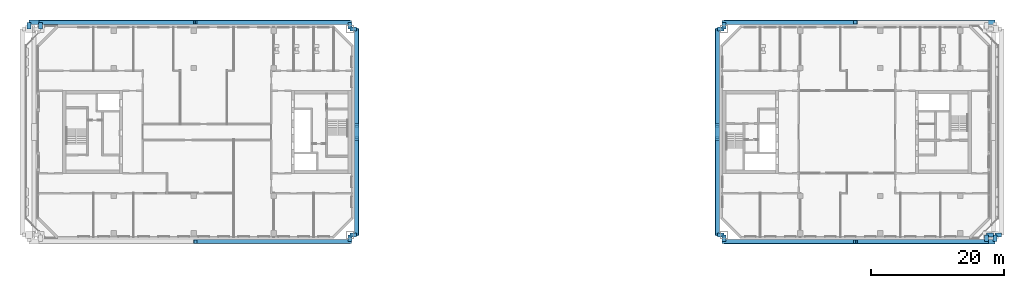
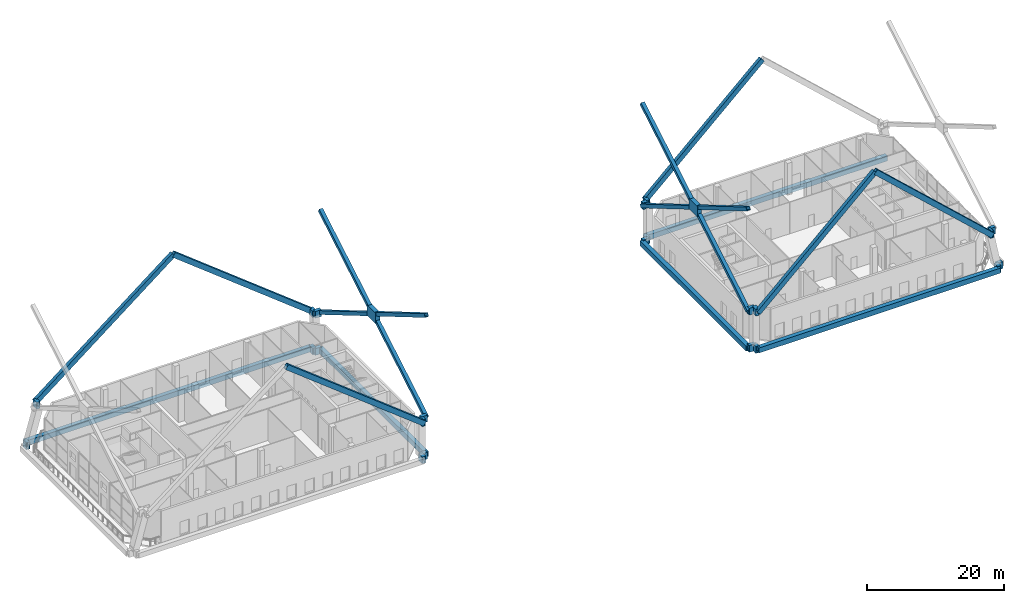
# One storey, part 5 of 20: 27 beams, 16 members.
"""IFC4 building model written with IfcOpenShell, lengths in metres."""

from ifc_helpers import new_model, si_unit, direction, frame, origin, origin_2d, place, context, subcontext, project, spatial, rectangle, hollow_rectangle, extrude, material, material_profile, profile_set, type_object, element, save


model = new_model("IFC4")

# Units and contexts
model_context = context("Model", 3, precision=1e-05, world=origin(), true_north=direction((0.0, 1.0)))
body_context = subcontext(model_context, "Body", "Model", "MODEL_VIEW")
ifc_project = project(units=[si_unit("LENGTHUNIT", "METRE"), si_unit("AREAUNIT", "SQUARE_METRE"), si_unit("VOLUMEUNIT", "CUBIC_METRE"), si_unit("PLANEANGLEUNIT", "RADIAN"), si_unit("MASSUNIT", "GRAM", prefix="KILO")], contexts=[model_context])

# Site, building, storey
site_placement = place(None, origin())
site = spatial("IfcSite", under=ifc_project, at=site_placement, CompositionType="ELEMENT")
building_placement = place(site_placement, origin())
building = spatial("IfcBuilding", under=site, at=building_placement, Name="Tuart Gate Housing", CompositionType="ELEMENT")
storey_placement = place(building_placement, frame((0.0, 0.0, 142.300048828125)))
storey = spatial("IfcBuildingStorey", under=building, at=storey_placement, Name="L40", CompositionType="ELEMENT", Elevation=142.300048828125)

# Members
ifc_material_1 = material(Name="Steel Grade 350", Category="steel")
ifc_material_profile_1 = material_profile(ifc_material_1, rectangle(XDim=2.537109375, YDim=1.864013671875, at=origin_2d()), Name="Brace node plate 2537 x 1864")
ifc_profile_set_1 = profile_set([ifc_material_profile_1], Name="Steel Grade 350")
member_type_1 = type_object("IfcMemberType", Name="Brace node plate 2537 x 1864", PredefinedType="PLATE", material=ifc_profile_set_1)
for number, where, z_axis, x_axis, name in (
    (1, (76.10498046875, 70.0, 15.300048828125), (1.0, 0.0, 0.0), (0.0, 1.0, 0.0), "Brace node A zone 6 east"),
    (2, (130.205078125, 70.0, 15.300048828125), (1.0, 0.0, 0.0), (0.0, 1.0, 0.0), "Brace node B zone 6 west"),
):
    element("IfcMember", number, at=place(storey_placement, frame(where, z_axis=z_axis, x_axis=x_axis)), inside=storey, type_object=member_type_1, Name=name, PredefinedType="PLATE", context=body_context, shape_type="SweptSolid", body=[
        extrude(rectangle(XDim=2.537109375, YDim=1.864013671875, at=origin_2d()), origin(), (0.0, 0.0, 1.0), 0.68994140625),
    ])

# Beams
ifc_material_2 = material(Name="Steel Grade 350", Category="steel")
ifc_material_profile_2 = material_profile(ifc_material_2, hollow_rectangle(XDim=0.60009765625, YDim=1.199951171875, WallThickness=0.0400390625, at=origin_2d()), Name="BOX 1200x600x40")
ifc_profile_set_2 = profile_set([ifc_material_profile_2], Name="Steel Grade 350")
beam_type_1 = type_object("IfcBeamType", Name="Brace shoe BOX 1200x600x40", PredefinedType="BEAM", material=ifc_profile_set_2)
for number, where, z_axis, x_axis, name in (
    (3, (75.449951171875, 54.550048828125, -0.400146484375), (0.0, -1.0, 0.0), (1.0, 0.0, 0.0), "Mega tie beam A node 5 south shoe 1 L40"),
    (4, (27.300048828125, 85.449951171875, -0.400146484375), (0.0, 1.0, 0.0), (-1.0, 0.0, 0.0), "Mega tie beam A node 5 north shoe 0 L40"),
    (5, (75.449951171875, 85.449951171875, -0.400146484375), (0.0, 1.0, 0.0), (-1.0, 0.0, 0.0), "Mega tie beam A node 5 north shoe 1 L40"),
    (6, (75.449951171875, 54.550048828125, -0.400146484375), (1.0, 0.0, 0.0), (0.0, 1.0, 0.0), "Mega tie beam A node 5 east shoe 0 L40"),
    (7, (75.449951171875, 85.449951171875, -0.400146484375), (1.0, 0.0, 0.0), (0.0, 1.0, 0.0), "Mega tie beam A node 5 east shoe 1 L40"),
    (8, (75.449951171875, 54.550048828125, 6.199951171875), (0.0, -1.0, 0.0), (1.0, 0.0, 0.0), "Mega brace shoe A zone 6 south chevron 2"),
    (9, (29.050048828125, 85.449951171875, 6.199951171875), (0.0, 1.0, 0.0), (-1.0, 0.0, 0.0), "Mega brace shoe A zone 6 north chevron 1"),
    (10, (75.449951171875, 85.449951171875, 6.199951171875), (0.0, 1.0, 0.0), (-1.0, 0.0, 0.0), "Mega brace shoe A zone 6 north chevron 2"),
    (11, (75.449951171875, 54.550048828125, 6.199951171875), (1.0, 0.0, 0.0), (0.0, 1.0, 0.0), "Mega brace shoe A zone 6 east cross 1"),
    (12, (75.449951171875, 85.449951171875, 6.199951171875), (1.0, 0.0, 0.0), (0.0, 1.0, 0.0), "Mega brace shoe A zone 6 east cross 2"),
    (13, (131.550048828125, 54.550048828125, -0.400146484375), (0.0, -1.0, 0.0), (1.0, 0.0, 0.0), "Mega tie beam B node 5 south shoe 0 L40"),
    (14, (172.199951171875, 54.550048828125, -0.400146484375), (0.0, -1.0, 0.0), (1.0, 0.0, 0.0), "Mega tie beam B node 5 south shoe 1 L40"),
    (15, (131.550048828125, 85.449951171875, -0.400146484375), (0.0, 1.0, 0.0), (-1.0, 0.0, 0.0), "Mega tie beam B node 5 north shoe 0 L40"),
    (16, (172.199951171875, 54.550048828125, -0.400146484375), (1.0, 0.0, 0.0), (0.0, 1.0, 0.0), "Mega tie beam B node 5 east shoe 0 L40"),
    (17, (131.550048828125, 54.550048828125, -0.400146484375), (-1.0, 0.0, 0.0), (0.0, -1.0, 0.0), "Mega tie beam B node 5 west shoe 0 L40"),
    (18, (131.550048828125, 85.449951171875, -0.400146484375), (-1.0, 0.0, 0.0), (0.0, -1.0, 0.0), "Mega tie beam B node 5 west shoe 1 L40"),
    (19, (131.550048828125, 54.550048828125, 6.199951171875), (0.0, -1.0, 0.0), (1.0, 0.0, 0.0), "Mega brace shoe B zone 6 south chevron 1"),
    (20, (170.949951171875, 54.550048828125, 6.199951171875), (0.0, -1.0, 0.0), (1.0, 0.0, 0.0), "Mega brace shoe B zone 6 south chevron 2"),
    (21, (131.550048828125, 85.449951171875, 6.199951171875), (0.0, 1.0, 0.0), (-1.0, 0.0, 0.0), "Mega brace shoe B zone 6 north chevron 1"),
    (22, (170.949951171875, 54.550048828125, 6.199951171875), (1.0, 0.0, 0.0), (0.0, 1.0, 0.0), "Mega brace shoe B zone 6 east cross 1"),
    (23, (131.550048828125, 54.550048828125, 6.199951171875), (-1.0, 0.0, 0.0), (0.0, -1.0, 0.0), "Mega brace shoe B zone 6 west cross 1"),
    (24, (131.550048828125, 85.449951171875, 6.199951171875), (-1.0, 0.0, 0.0), (0.0, -1.0, 0.0), "Mega brace shoe B zone 6 west cross 2"),
):
    element("IfcBeam", number, at=place(storey_placement, frame(where, z_axis=z_axis, x_axis=x_axis)), inside=storey, type_object=beam_type_1, Name=name, PredefinedType="BEAM", context=body_context, shape_type="SweptSolid", body=[
        extrude(hollow_rectangle(XDim=0.60009765625, YDim=1.199951171875, WallThickness=0.0400390625, at=origin_2d()), origin(), (0.0, 0.0, 1.0), 1.0),
    ])

# Members
ifc_material_3 = material(Name="Steel Grade 350", Category="steel")
ifc_material_profile_3 = material_profile(ifc_material_3, hollow_rectangle(XDim=0.60009765625, YDim=0.60009765625, WallThickness=0.030029296875, at=origin_2d()), Name="BOX 600x600x30")
ifc_profile_set_3 = profile_set([ifc_material_profile_3], Name="Steel Grade 350")
member_type_2 = type_object("IfcMemberType", Name="Mega brace BOX 600x600x30", PredefinedType="BRACE", material=ifc_profile_set_3)
for number, where, z_axis, x_axis, name in (
    (25, (76.449951171875, 54.550048828125, 6.199951171875), (0.0, 0.861644676374, 0.507512021214), (-1.0, 0.0, 0.0), "Mega brace A zone 6 east cross 1 a"),
    (26, (76.449951171875, 70.818603515625, 15.781982421875), (0.0, 0.861644676374, 0.507512021214), (-1.0, 0.0, 0.0), "Mega brace A zone 6 east cross 1 b"),
    (27, (76.449951171875, 85.449951171875, 6.199951171875), (0.0, -0.861644676374, 0.507512021214), (1.0, 0.0, 0.0), "Mega brace A zone 6 east cross 2 a"),
    (28, (76.449951171875, 69.181396484375, 15.781982421875), (0.0, -0.861644676374, 0.507512021214), (1.0, 0.0, 0.0), "Mega brace A zone 6 east cross 2 b"),
    (29, (130.550048828125, 54.550048828125, 6.199951171875), (0.0, 0.861644676374, 0.507512021214), (-1.0, 0.0, 0.0), "Mega brace B zone 6 west cross 1 a"),
    (30, (130.550048828125, 70.818603515625, 15.781982421875), (0.0, 0.861644676374, 0.507512021214), (-1.0, 0.0, 0.0), "Mega brace B zone 6 west cross 1 b"),
    (31, (130.550048828125, 85.449951171875, 6.199951171875), (0.0, -0.861644676374, 0.507512021214), (1.0, 0.0, 0.0), "Mega brace B zone 6 west cross 2 a"),
    (32, (130.550048828125, 69.181396484375, 15.781982421875), (0.0, -0.861644676374, 0.507512021214), (1.0, 0.0, 0.0), "Mega brace B zone 6 west cross 2 b"),
):
    element("IfcMember", number, at=place(storey_placement, frame(where, z_axis=z_axis, x_axis=x_axis)), inside=storey, type_object=member_type_2, Name=name, PredefinedType="BRACE", context=body_context, shape_type="SweptSolid", body=[
        extrude(hollow_rectangle(XDim=0.60009765625, YDim=0.60009765625, WallThickness=0.030029296875, at=origin_2d()), origin(), (0.0, 0.0, 1.0), 16.980712890625),
    ])
ifc_material_4 = material(Name="Steel Grade 350", Category="steel")
ifc_material_profile_4 = material_profile(ifc_material_4, hollow_rectangle(XDim=0.60009765625, YDim=0.85009765625, WallThickness=0.0419921875, at=origin_2d()), Name="BOX 850x600x42")
ifc_profile_set_4 = profile_set([ifc_material_profile_4], Name="Steel Grade 350")
member_type_3 = type_object("IfcMemberType", Name="Mega brace BOX 850x600x42", PredefinedType="BRACE", material=ifc_profile_set_4)
for number, where, z_axis, x_axis, name in (
    (33, (75.449951171875, 53.550048828125, 6.199951171875), (-0.78678900495, 0.0, 0.617222052174), (0.0, -1.0, 0.0), "Mega brace A zone 6 south chevron 2"),
    (34, (29.050048828125, 86.449951171875, 6.199951171875), (0.78678900495, 0.0, 0.617222052174), (0.0, 1.0, 0.0), "Mega brace A zone 6 north chevron 1"),
    (35, (75.449951171875, 86.449951171875, 6.199951171875), (-0.78678900495, 0.0, 0.617222052174), (0.0, -1.0, 0.0), "Mega brace A zone 6 north chevron 2"),
):
    element("IfcMember", number, at=place(storey_placement, frame(where, z_axis=z_axis, x_axis=x_axis)), inside=storey, type_object=member_type_3, Name=name, PredefinedType="BRACE", context=body_context, shape_type="SweptSolid", body=[
        extrude(hollow_rectangle(XDim=0.60009765625, YDim=0.85009765625, WallThickness=0.0419921875, at=origin_2d()), origin(), (0.0, 0.0, 1.0), 29.48681640625),
    ])
for number, where, z_axis, x_axis, name in (
    (36, (131.550048828125, 53.550048828125, 6.199951171875), (0.734517555913, 0.0, 0.678589684607), (0.0, 1.0, 0.0), "Mega brace B zone 6 south chevron 1"),
    (37, (170.949951171875, 53.550048828125, 6.199951171875), (-0.734517555913, 0.0, 0.678589684607), (0.0, -1.0, 0.0), "Mega brace B zone 6 south chevron 2"),
    (38, (131.550048828125, 86.449951171875, 6.199951171875), (0.734517555913, 0.0, 0.678589684607), (0.0, 1.0, 0.0), "Mega brace B zone 6 north chevron 1"),
):
    element("IfcMember", number, at=place(storey_placement, frame(where, z_axis=z_axis, x_axis=x_axis)), inside=storey, type_object=member_type_3, Name=name, PredefinedType="BRACE", context=body_context, shape_type="SweptSolid", body=[
        extrude(hollow_rectangle(XDim=0.60009765625, YDim=0.85009765625, WallThickness=0.0419921875, at=origin_2d()), origin(), (0.0, 0.0, 1.0), 26.8203125),
    ])

# Beams
ifc_material_5 = material(Name="Steel Grade 350", Category="steel")
ifc_material_profile_5 = material_profile(ifc_material_5, hollow_rectangle(XDim=0.699951171875, YDim=0.89990234375, WallThickness=0.0400390625, at=origin_2d()), Name="BOX 900x700x40")
ifc_profile_set_5 = profile_set([ifc_material_profile_5], Name="Steel Grade 350")
beam_type_2 = type_object("IfcBeamType", Name="Tie beam BOX 900x700x40", PredefinedType="BEAM", material=ifc_profile_set_5)
for number, where, z_axis, x_axis, name in (
    (39, (76.449951171875, 54.550048828125, -0.400146484375), (0.0, 1.0, 0.0), (-1.0, 0.0, 0.0), "Mega tie beam A node 5 east L40"),
    (40, (130.550048828125, 54.550048828125, -0.400146484375), (0.0, 1.0, 0.0), (-1.0, 0.0, 0.0), "Mega tie beam B node 5 west L40"),
):
    element("IfcBeam", number, at=place(storey_placement, frame(where, z_axis=z_axis, x_axis=x_axis)), inside=storey, type_object=beam_type_2, Name=name, PredefinedType="BEAM", context=body_context, shape_type="SweptSolid", body=[
        extrude(hollow_rectangle(XDim=0.699951171875, YDim=0.89990234375, WallThickness=0.0400390625, at=origin_2d()), origin(), (0.0, 0.0, 1.0), 30.89990234375),
    ])
ifc_material_6 = material(Name="Steel Grade 350", Category="steel")
ifc_material_profile_6 = material_profile(ifc_material_6, hollow_rectangle(XDim=0.699951171875, YDim=0.89990234375, WallThickness=0.0400390625, at=origin_2d()), Name="BOX 900x700x40")
ifc_profile_set_6 = profile_set([ifc_material_profile_6], Name="Steel Grade 350")
beam_type_3 = type_object("IfcBeamType", Name="Tie beam BOX 900x700x40 (40.6-51.7 m)", PredefinedType="BEAM", material=ifc_profile_set_6)
beam_placement = place(storey_placement, frame((27.300048828125, 86.449951171875, -0.400146484375), z_axis=(1.0, 0.0, 0.0), x_axis=(0.0, 1.0, 0.0)))
element("IfcBeam", 41, at=beam_placement, inside=storey, type_object=beam_type_3, Name="Mega tie beam A node 5 north L40", PredefinedType="BEAM", context=body_context, shape_type="SweptSolid", body=[
    extrude(hollow_rectangle(XDim=0.699951171875, YDim=0.89990234375, WallThickness=0.0400390625, at=origin_2d()), origin(), (0.0, 0.0, 1.0), 48.14990234375),
])
for number, where, z_axis, x_axis, name in (
    (42, (131.550048828125, 53.550048828125, -0.400146484375), (1.0, 0.0, 0.0), (0.0, 1.0, 0.0), "Mega tie beam B node 5 south L40"),
    (43, (131.550048828125, 86.449951171875, -0.400146484375), (1.0, 0.0, 0.0), (0.0, 1.0, 0.0), "Mega tie beam B node 5 north L40"),
):
    element("IfcBeam", number, at=place(storey_placement, frame(where, z_axis=z_axis, x_axis=x_axis)), inside=storey, type_object=beam_type_3, Name=name, PredefinedType="BEAM", context=body_context, shape_type="SweptSolid", body=[
        extrude(hollow_rectangle(XDim=0.699951171875, YDim=0.89990234375, WallThickness=0.0400390625, at=origin_2d()), origin(), (0.0, 0.0, 1.0), 40.64990234375),
    ])

save(model, "model.ifc")
